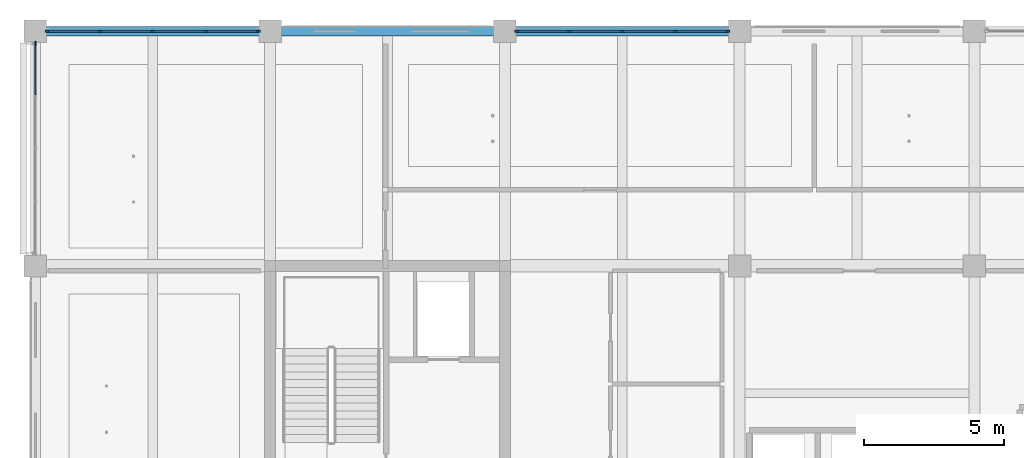
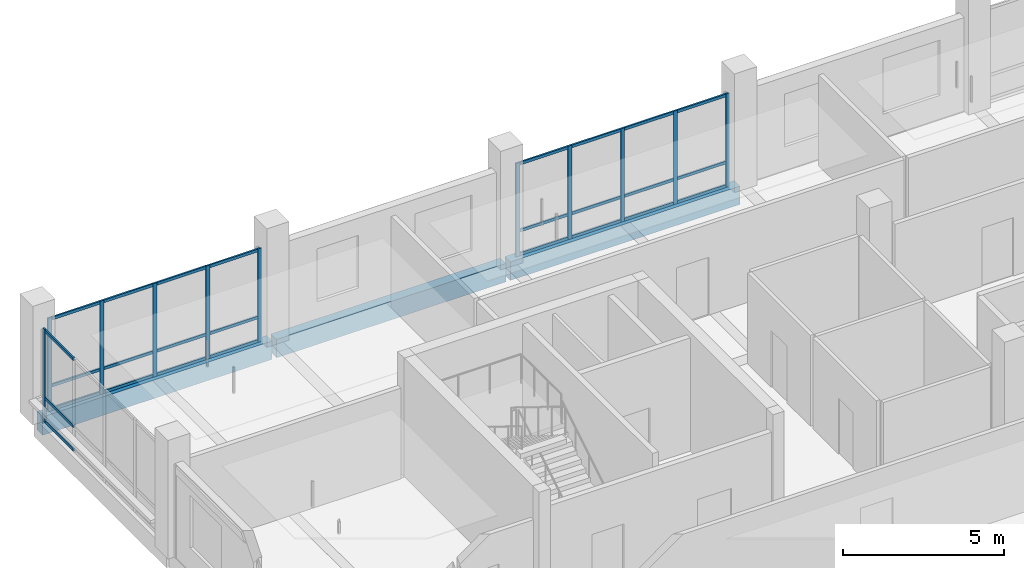
# One storey, part 8 of 34: 38 members, 3 beams, 3 elements without a shape of their own.
"""IFC4 building model written with IfcOpenShell, lengths in metres."""

from ifc_helpers import new_model, si_unit, direction, frame, origin, origin_2d, place, context, subcontext, project, spatial, rectangle, extrude, material, layer, layer_set, material_profile, profile_set, type_object, element, aggregate, save


model = new_model("IFC4")

# Units and contexts
model_context = context("Model", 3, precision=1e-05, world=origin(), true_north=direction((0.0, 1.0)))
body_context = subcontext(model_context, "Body", "Model", "MODEL_VIEW")
ifc_project = project(units=[si_unit("LENGTHUNIT", "METRE"), si_unit("AREAUNIT", "SQUARE_METRE"), si_unit("VOLUMEUNIT", "CUBIC_METRE"), si_unit("PLANEANGLEUNIT", "RADIAN"), si_unit("MASSUNIT", "GRAM", prefix="KILO")], contexts=[model_context])

# Site, building, storey
site_placement = place(None, origin())
site = spatial("IfcSite", under=ifc_project, at=site_placement, CompositionType="ELEMENT")
building_placement = place(site_placement, origin())
building = spatial("IfcBuilding", under=site, at=building_placement, Name="Telukmera Botanical Conservatory", CompositionType="ELEMENT")
storey_placement = place(building_placement, frame((0.0, 0.0, 37.5)))
storey = spatial("IfcBuildingStorey", under=building, at=storey_placement, Name="L08", CompositionType="ELEMENT", Elevation=37.5)

# Beams
ifc_material_1 = material(Name="Precast concrete C40/50", Category="concrete")
ifc_material_profile_1 = material_profile(ifc_material_1, rectangle(XDim=0.35009765625, YDim=0.699951171875, at=origin_2d()), Name="PC 350x700")
ifc_profile_set_1 = profile_set([ifc_material_profile_1], Name="Precast concrete C40/50")
beam_type = type_object("IfcBeamType", Name="Beam_SP2", PredefinedType="SPANDREL", material=ifc_profile_set_1)
beam_1_placement = place(storey_placement, frame((50.47998046875, 42.800048828125, -0.35009765625), z_axis=(1.0, 0.0, 0.0), x_axis=(0.0, 1.0, 0.0)))
element("IfcBeam", 1, at=beam_1_placement, inside=storey, type_object=beam_type, Name="Tower Grid Beam L08", PredefinedType="SPANDREL", context=body_context, shape_type="SweptSolid", body=[
    extrude(rectangle(XDim=0.35009765625, YDim=0.699951171875, at=origin_2d()), origin(), (0.0, 0.0, 1.0), 8.239990234375),
])
beam_2_placement = place(storey_placement, frame((58.8798828125, 42.800048828125, -0.35009765625), z_axis=(1.0, 0.0, 0.0), x_axis=(0.0, 1.0, 0.0)))
element("IfcBeam", 2, at=beam_2_placement, inside=storey, type_object=beam_type, Name="Tower Grid Beam L08", PredefinedType="SPANDREL", context=body_context, shape_type="SweptSolid", body=[
    extrude(rectangle(XDim=0.35009765625, YDim=0.699951171875, at=origin_2d()), origin(), (0.0, 0.0, 1.0), 8.240234375),
])
beam_3_placement = place(storey_placement, frame((67.280029296875, 42.800048828125, -0.35009765625), z_axis=(1.0, 0.0, 0.0), x_axis=(0.0, 1.0, 0.0)))
element("IfcBeam", 3, at=beam_3_placement, inside=storey, type_object=beam_type, Name="Tower Grid Beam L08", PredefinedType="SPANDREL", context=body_context, shape_type="SweptSolid", body=[
    extrude(rectangle(XDim=0.35009765625, YDim=0.699951171875, at=origin_2d()), origin(), (0.0, 0.0, 1.0), 8.239990234375),
])

# Curtain wall, members
ifc_material_2 = material(Name="Anodised aluminium 6063-T6", Category="aluminium")
ifc_layer = layer(ifc_material_2, 0.179931640625)
ifc_layer_set = layer_set([ifc_layer], Name="Anodised aluminium 6063-T6")
curtain_wall_type = type_object("IfcCurtainWallType", Name="Tower Research Laboratory Unitised Curtain Wall", PredefinedType="USERDEFINED", material=ifc_layer_set)
curtain_wall_1_placement = place(storey_placement, origin())
curtain_wall_1 = element("IfcCurtainWall", 4, at=curtain_wall_1_placement, inside=storey, type_object=curtain_wall_type, Name="Unitised Curtain Wall CW15 V4:L08:N1", ObjectType="UNITISED CURTAIN WALL", PredefinedType="USERDEFINED")
ifc_material_profile_2 = material_profile(ifc_material_2, rectangle(XDim=0.06005859375, YDim=0.139892578125, at=origin_2d()), Name="ALU MULL 60x140")
ifc_profile_set_2 = profile_set([ifc_material_profile_2], Name="Anodised aluminium 6063-T6")
member_type_1 = type_object("IfcMemberType", Name="Curtain Wall Extruded Mullion 60x140", PredefinedType="MULLION", material=ifc_profile_set_2)
member_1_placement = place(storey_placement, frame((50.83203125, 42.800048828125, 0.0), z_axis=(0.0, 0.0, 1.0), x_axis=(0.0, 1.0, 0.0)))
member_1 = element("IfcMember", 5, at=member_1_placement, type_object=member_type_1, Name="CW15 mullion 1", PredefinedType="MULLION", context=body_context, shape_type="SweptSolid", body=[
    extrude(rectangle(XDim=0.06005859375, YDim=0.139892578125, at=origin_2d()), origin(), (0.0, 0.0, 1.0), 3.550048828125),
])
member_2_placement = place(storey_placement, frame((52.700927734375, 42.800048828125, 0.0), z_axis=(0.0, 0.0, 1.0), x_axis=(0.0, 1.0, 0.0)))
member_2 = element("IfcMember", 6, at=member_2_placement, type_object=member_type_1, Name="CW15 mullion 2", PredefinedType="MULLION", context=body_context, shape_type="SweptSolid", body=[
    extrude(rectangle(XDim=0.06005859375, YDim=0.139892578125, at=origin_2d()), origin(), (0.0, 0.0, 1.0), 3.550048828125),
])
member_3_placement = place(storey_placement, frame((54.60009765625, 42.800048828125, 0.0), z_axis=(0.0, 0.0, 1.0), x_axis=(0.0, 1.0, 0.0)))
member_3 = element("IfcMember", 7, at=member_3_placement, type_object=member_type_1, Name="CW15 mullion 3", PredefinedType="MULLION", context=body_context, shape_type="SweptSolid", body=[
    extrude(rectangle(XDim=0.06005859375, YDim=0.139892578125, at=origin_2d()), origin(), (0.0, 0.0, 1.0), 3.550048828125),
])
member_4_placement = place(storey_placement, frame((56.4990234375, 42.800048828125, 0.0), z_axis=(0.0, 0.0, 1.0), x_axis=(0.0, 1.0, 0.0)))
member_4 = element("IfcMember", 8, at=member_4_placement, type_object=member_type_1, Name="CW15 mullion 4", PredefinedType="MULLION", context=body_context, shape_type="SweptSolid", body=[
    extrude(rectangle(XDim=0.06005859375, YDim=0.139892578125, at=origin_2d()), origin(), (0.0, 0.0, 1.0), 3.550048828125),
])
member_5_placement = place(storey_placement, frame((58.367919921875, 42.800048828125, 0.0), z_axis=(0.0, 0.0, 1.0), x_axis=(0.0, 1.0, 0.0)))
member_5 = element("IfcMember", 9, at=member_5_placement, type_object=member_type_1, Name="CW15 mullion 5", PredefinedType="MULLION", context=body_context, shape_type="SweptSolid", body=[
    extrude(rectangle(XDim=0.06005859375, YDim=0.139892578125, at=origin_2d()), origin(), (0.0, 0.0, 1.0), 3.550048828125),
])

curtain_wall_2_placement = place(storey_placement, origin())
curtain_wall_2 = element("IfcCurtainWall", 10, at=curtain_wall_2_placement, inside=storey, type_object=curtain_wall_type, Name="Unitised Curtain Wall CW15 V4:L08:N3", ObjectType="UNITISED CURTAIN WALL", PredefinedType="USERDEFINED")
member_6_placement = place(storey_placement, frame((67.632080078125, 42.800048828125, 0.0), z_axis=(0.0, 0.0, 1.0), x_axis=(0.0, 1.0, 0.0)))
member_6 = element("IfcMember", 11, at=member_6_placement, type_object=member_type_1, Name="CW15 mullion 1", PredefinedType="MULLION", context=body_context, shape_type="SweptSolid", body=[
    extrude(rectangle(XDim=0.06005859375, YDim=0.139892578125, at=origin_2d()), origin(), (0.0, 0.0, 1.0), 3.550048828125),
])
member_7_placement = place(storey_placement, frame((69.5009765625, 42.800048828125, 0.0), z_axis=(0.0, 0.0, 1.0), x_axis=(0.0, 1.0, 0.0)))
member_7 = element("IfcMember", 12, at=member_7_placement, type_object=member_type_1, Name="CW15 mullion 2", PredefinedType="MULLION", context=body_context, shape_type="SweptSolid", body=[
    extrude(rectangle(XDim=0.06005859375, YDim=0.139892578125, at=origin_2d()), origin(), (0.0, 0.0, 1.0), 3.550048828125),
])
member_8_placement = place(storey_placement, frame((71.39990234375, 42.800048828125, 0.0), z_axis=(0.0, 0.0, 1.0), x_axis=(0.0, 1.0, 0.0)))
member_8 = element("IfcMember", 13, at=member_8_placement, type_object=member_type_1, Name="CW15 mullion 3", PredefinedType="MULLION", context=body_context, shape_type="SweptSolid", body=[
    extrude(rectangle(XDim=0.06005859375, YDim=0.139892578125, at=origin_2d()), origin(), (0.0, 0.0, 1.0), 3.550048828125),
])
member_9_placement = place(storey_placement, frame((73.299072265625, 42.800048828125, 0.0), z_axis=(0.0, 0.0, 1.0), x_axis=(0.0, 1.0, 0.0)))
member_9 = element("IfcMember", 14, at=member_9_placement, type_object=member_type_1, Name="CW15 mullion 4", PredefinedType="MULLION", context=body_context, shape_type="SweptSolid", body=[
    extrude(rectangle(XDim=0.06005859375, YDim=0.139892578125, at=origin_2d()), origin(), (0.0, 0.0, 1.0), 3.550048828125),
])
member_10_placement = place(storey_placement, frame((75.16796875, 42.800048828125, 0.0), z_axis=(0.0, 0.0, 1.0), x_axis=(0.0, 1.0, 0.0)))
member_10 = element("IfcMember", 15, at=member_10_placement, type_object=member_type_1, Name="CW15 mullion 5", PredefinedType="MULLION", context=body_context, shape_type="SweptSolid", body=[
    extrude(rectangle(XDim=0.06005859375, YDim=0.139892578125, at=origin_2d()), origin(), (0.0, 0.0, 1.0), 3.550048828125),
])

# Curtain wall, member
curtain_wall_3_placement = place(storey_placement, origin())
curtain_wall_3 = element("IfcCurtainWall", 16, at=curtain_wall_3_placement, inside=storey, type_object=curtain_wall_type, Name="Unitised Curtain Wall CW15 V4:L08:W4", ObjectType="UNITISED CURTAIN WALL", PredefinedType="USERDEFINED")
member_11_placement = place(storey_placement, frame((50.39990234375, 42.367919921875, 0.0), z_axis=(0.0, 0.0, 1.0), x_axis=(-1.0, 0.0, 0.0)))
member_11 = element("IfcMember", 17, at=member_11_placement, type_object=member_type_1, Name="CW15 mullion 5", PredefinedType="MULLION", context=body_context, shape_type="SweptSolid", body=[
    extrude(rectangle(XDim=0.06005859375, YDim=0.139892578125, at=origin_2d()), origin(), (0.0, 0.0, 1.0), 3.550048828125),
])

# Member
ifc_material_profile_3 = material_profile(ifc_material_2, rectangle(XDim=0.06005859375, YDim=0.110107421875, at=origin_2d()), Name="ALU TRAN 60x110")
ifc_profile_set_3 = profile_set([ifc_material_profile_3], Name="Anodised aluminium 6063-T6")
member_type_2 = type_object("IfcMemberType", Name="Curtain Wall Extruded Transom 60x110", PredefinedType="USERDEFINED", material=ifc_profile_set_3)
member_12_placement = place(storey_placement, frame((50.862060546875, 42.800048828125, 0.054931640625), z_axis=(1.0, 0.0, 0.0), x_axis=(0.0, 1.0, 0.0)))
member_12 = element("IfcMember", 18, at=member_12_placement, type_object=member_type_2, Name="CW15 transom 1.1", ObjectType="TRANSOM", PredefinedType="USERDEFINED", context=body_context, shape_type="SweptSolid", body=[
    extrude(rectangle(XDim=0.06005859375, YDim=0.110107421875, at=origin_2d()), origin(), (0.0, 0.0, 1.0), 1.808837890625),
])

member_13_placement = place(storey_placement, frame((50.862060546875, 42.800048828125, 0.949951171875), z_axis=(1.0, 0.0, 0.0), x_axis=(0.0, 1.0, 0.0)))
member_13 = element("IfcMember", 19, at=member_13_placement, type_object=member_type_2, Name="CW15 transom 1.2", ObjectType="TRANSOM", PredefinedType="USERDEFINED", context=body_context, shape_type="SweptSolid", body=[
    extrude(rectangle(XDim=0.06005859375, YDim=0.110107421875, at=origin_2d()), origin(), (0.0, 0.0, 1.0), 1.808837890625),
])

member_14_placement = place(storey_placement, frame((50.862060546875, 42.800048828125, 3.4951171875), z_axis=(1.0, 0.0, 0.0), x_axis=(0.0, 1.0, 0.0)))
member_14 = element("IfcMember", 20, at=member_14_placement, type_object=member_type_2, Name="CW15 transom 1.3", ObjectType="TRANSOM", PredefinedType="USERDEFINED", context=body_context, shape_type="SweptSolid", body=[
    extrude(rectangle(XDim=0.06005859375, YDim=0.110107421875, at=origin_2d()), origin(), (0.0, 0.0, 1.0), 1.808837890625),
])

member_15_placement = place(storey_placement, frame((52.73095703125, 42.800048828125, 0.054931640625), z_axis=(1.0, 0.0, 0.0), x_axis=(0.0, 1.0, 0.0)))
member_15 = element("IfcMember", 21, at=member_15_placement, type_object=member_type_2, Name="CW15 transom 2.1", ObjectType="TRANSOM", PredefinedType="USERDEFINED", context=body_context, shape_type="SweptSolid", body=[
    extrude(rectangle(XDim=0.06005859375, YDim=0.110107421875, at=origin_2d()), origin(), (0.0, 0.0, 1.0), 1.839111328125),
])

member_16_placement = place(storey_placement, frame((52.73095703125, 42.800048828125, 0.949951171875), z_axis=(1.0, 0.0, 0.0), x_axis=(0.0, 1.0, 0.0)))
member_16 = element("IfcMember", 22, at=member_16_placement, type_object=member_type_2, Name="CW15 transom 2.2", ObjectType="TRANSOM", PredefinedType="USERDEFINED", context=body_context, shape_type="SweptSolid", body=[
    extrude(rectangle(XDim=0.06005859375, YDim=0.110107421875, at=origin_2d()), origin(), (0.0, 0.0, 1.0), 1.839111328125),
])

member_17_placement = place(storey_placement, frame((52.73095703125, 42.800048828125, 3.4951171875), z_axis=(1.0, 0.0, 0.0), x_axis=(0.0, 1.0, 0.0)))
member_17 = element("IfcMember", 23, at=member_17_placement, type_object=member_type_2, Name="CW15 transom 2.3", ObjectType="TRANSOM", PredefinedType="USERDEFINED", context=body_context, shape_type="SweptSolid", body=[
    extrude(rectangle(XDim=0.06005859375, YDim=0.110107421875, at=origin_2d()), origin(), (0.0, 0.0, 1.0), 1.839111328125),
])

member_18_placement = place(storey_placement, frame((54.6298828125, 42.800048828125, 0.054931640625), z_axis=(1.0, 0.0, 0.0), x_axis=(0.0, 1.0, 0.0)))
member_18 = element("IfcMember", 24, at=member_18_placement, type_object=member_type_2, Name="CW15 transom 3.1", ObjectType="TRANSOM", PredefinedType="USERDEFINED", context=body_context, shape_type="SweptSolid", body=[
    extrude(rectangle(XDim=0.06005859375, YDim=0.110107421875, at=origin_2d()), origin(), (0.0, 0.0, 1.0), 1.839111328125),
])

member_19_placement = place(storey_placement, frame((54.6298828125, 42.800048828125, 0.949951171875), z_axis=(1.0, 0.0, 0.0), x_axis=(0.0, 1.0, 0.0)))
member_19 = element("IfcMember", 25, at=member_19_placement, type_object=member_type_2, Name="CW15 transom 3.2", ObjectType="TRANSOM", PredefinedType="USERDEFINED", context=body_context, shape_type="SweptSolid", body=[
    extrude(rectangle(XDim=0.06005859375, YDim=0.110107421875, at=origin_2d()), origin(), (0.0, 0.0, 1.0), 1.839111328125),
])

member_20_placement = place(storey_placement, frame((54.6298828125, 42.800048828125, 3.4951171875), z_axis=(1.0, 0.0, 0.0), x_axis=(0.0, 1.0, 0.0)))
member_20 = element("IfcMember", 26, at=member_20_placement, type_object=member_type_2, Name="CW15 transom 3.3", ObjectType="TRANSOM", PredefinedType="USERDEFINED", context=body_context, shape_type="SweptSolid", body=[
    extrude(rectangle(XDim=0.06005859375, YDim=0.110107421875, at=origin_2d()), origin(), (0.0, 0.0, 1.0), 1.839111328125),
])

member_21_placement = place(storey_placement, frame((56.529052734375, 42.800048828125, 0.054931640625), z_axis=(1.0, 0.0, 0.0), x_axis=(0.0, 1.0, 0.0)))
member_21 = element("IfcMember", 27, at=member_21_placement, type_object=member_type_2, Name="CW15 transom 4.1", ObjectType="TRANSOM", PredefinedType="USERDEFINED", context=body_context, shape_type="SweptSolid", body=[
    extrude(rectangle(XDim=0.06005859375, YDim=0.110107421875, at=origin_2d()), origin(), (0.0, 0.0, 1.0), 1.808837890625),
])

member_22_placement = place(storey_placement, frame((56.529052734375, 42.800048828125, 0.949951171875), z_axis=(1.0, 0.0, 0.0), x_axis=(0.0, 1.0, 0.0)))
member_22 = element("IfcMember", 28, at=member_22_placement, type_object=member_type_2, Name="CW15 transom 4.2", ObjectType="TRANSOM", PredefinedType="USERDEFINED", context=body_context, shape_type="SweptSolid", body=[
    extrude(rectangle(XDim=0.06005859375, YDim=0.110107421875, at=origin_2d()), origin(), (0.0, 0.0, 1.0), 1.808837890625),
])

member_23_placement = place(storey_placement, frame((56.529052734375, 42.800048828125, 3.4951171875), z_axis=(1.0, 0.0, 0.0), x_axis=(0.0, 1.0, 0.0)))
member_23 = element("IfcMember", 29, at=member_23_placement, type_object=member_type_2, Name="CW15 transom 4.3", ObjectType="TRANSOM", PredefinedType="USERDEFINED", context=body_context, shape_type="SweptSolid", body=[
    extrude(rectangle(XDim=0.06005859375, YDim=0.110107421875, at=origin_2d()), origin(), (0.0, 0.0, 1.0), 1.808837890625),
])

aggregate(curtain_wall_1, [member_1, member_2, member_3, member_4, member_5, member_12, member_13, member_14, member_15, member_16, member_17, member_18, member_19, member_20, member_21, member_22, member_23])

member_24_placement = place(storey_placement, frame((67.662109375, 42.800048828125, 0.054931640625), z_axis=(1.0, 0.0, 0.0), x_axis=(0.0, 1.0, 0.0)))
member_24 = element("IfcMember", 30, at=member_24_placement, type_object=member_type_2, Name="CW15 transom 1.1", ObjectType="TRANSOM", PredefinedType="USERDEFINED", context=body_context, shape_type="SweptSolid", body=[
    extrude(rectangle(XDim=0.06005859375, YDim=0.110107421875, at=origin_2d()), origin(), (0.0, 0.0, 1.0), 1.808837890625),
])

member_25_placement = place(storey_placement, frame((67.662109375, 42.800048828125, 0.949951171875), z_axis=(1.0, 0.0, 0.0), x_axis=(0.0, 1.0, 0.0)))
member_25 = element("IfcMember", 31, at=member_25_placement, type_object=member_type_2, Name="CW15 transom 1.2", ObjectType="TRANSOM", PredefinedType="USERDEFINED", context=body_context, shape_type="SweptSolid", body=[
    extrude(rectangle(XDim=0.06005859375, YDim=0.110107421875, at=origin_2d()), origin(), (0.0, 0.0, 1.0), 1.808837890625),
])

member_26_placement = place(storey_placement, frame((67.662109375, 42.800048828125, 3.4951171875), z_axis=(1.0, 0.0, 0.0), x_axis=(0.0, 1.0, 0.0)))
member_26 = element("IfcMember", 32, at=member_26_placement, type_object=member_type_2, Name="CW15 transom 1.3", ObjectType="TRANSOM", PredefinedType="USERDEFINED", context=body_context, shape_type="SweptSolid", body=[
    extrude(rectangle(XDim=0.06005859375, YDim=0.110107421875, at=origin_2d()), origin(), (0.0, 0.0, 1.0), 1.808837890625),
])

member_27_placement = place(storey_placement, frame((69.531005859375, 42.800048828125, 0.054931640625), z_axis=(1.0, 0.0, 0.0), x_axis=(0.0, 1.0, 0.0)))
member_27 = element("IfcMember", 33, at=member_27_placement, type_object=member_type_2, Name="CW15 transom 2.1", ObjectType="TRANSOM", PredefinedType="USERDEFINED", context=body_context, shape_type="SweptSolid", body=[
    extrude(rectangle(XDim=0.06005859375, YDim=0.110107421875, at=origin_2d()), origin(), (0.0, 0.0, 1.0), 1.839111328125),
])

member_28_placement = place(storey_placement, frame((69.531005859375, 42.800048828125, 0.949951171875), z_axis=(1.0, 0.0, 0.0), x_axis=(0.0, 1.0, 0.0)))
member_28 = element("IfcMember", 34, at=member_28_placement, type_object=member_type_2, Name="CW15 transom 2.2", ObjectType="TRANSOM", PredefinedType="USERDEFINED", context=body_context, shape_type="SweptSolid", body=[
    extrude(rectangle(XDim=0.06005859375, YDim=0.110107421875, at=origin_2d()), origin(), (0.0, 0.0, 1.0), 1.839111328125),
])

member_29_placement = place(storey_placement, frame((69.531005859375, 42.800048828125, 3.4951171875), z_axis=(1.0, 0.0, 0.0), x_axis=(0.0, 1.0, 0.0)))
member_29 = element("IfcMember", 35, at=member_29_placement, type_object=member_type_2, Name="CW15 transom 2.3", ObjectType="TRANSOM", PredefinedType="USERDEFINED", context=body_context, shape_type="SweptSolid", body=[
    extrude(rectangle(XDim=0.06005859375, YDim=0.110107421875, at=origin_2d()), origin(), (0.0, 0.0, 1.0), 1.839111328125),
])

member_30_placement = place(storey_placement, frame((71.429931640625, 42.800048828125, 0.054931640625), z_axis=(1.0, 0.0, 0.0), x_axis=(0.0, 1.0, 0.0)))
member_30 = element("IfcMember", 36, at=member_30_placement, type_object=member_type_2, Name="CW15 transom 3.1", ObjectType="TRANSOM", PredefinedType="USERDEFINED", context=body_context, shape_type="SweptSolid", body=[
    extrude(rectangle(XDim=0.06005859375, YDim=0.110107421875, at=origin_2d()), origin(), (0.0, 0.0, 1.0), 1.839111328125),
])

member_31_placement = place(storey_placement, frame((71.429931640625, 42.800048828125, 0.949951171875), z_axis=(1.0, 0.0, 0.0), x_axis=(0.0, 1.0, 0.0)))
member_31 = element("IfcMember", 37, at=member_31_placement, type_object=member_type_2, Name="CW15 transom 3.2", ObjectType="TRANSOM", PredefinedType="USERDEFINED", context=body_context, shape_type="SweptSolid", body=[
    extrude(rectangle(XDim=0.06005859375, YDim=0.110107421875, at=origin_2d()), origin(), (0.0, 0.0, 1.0), 1.839111328125),
])

member_32_placement = place(storey_placement, frame((71.429931640625, 42.800048828125, 3.4951171875), z_axis=(1.0, 0.0, 0.0), x_axis=(0.0, 1.0, 0.0)))
member_32 = element("IfcMember", 38, at=member_32_placement, type_object=member_type_2, Name="CW15 transom 3.3", ObjectType="TRANSOM", PredefinedType="USERDEFINED", context=body_context, shape_type="SweptSolid", body=[
    extrude(rectangle(XDim=0.06005859375, YDim=0.110107421875, at=origin_2d()), origin(), (0.0, 0.0, 1.0), 1.839111328125),
])

member_33_placement = place(storey_placement, frame((73.3291015625, 42.800048828125, 0.054931640625), z_axis=(1.0, 0.0, 0.0), x_axis=(0.0, 1.0, 0.0)))
member_33 = element("IfcMember", 39, at=member_33_placement, type_object=member_type_2, Name="CW15 transom 4.1", ObjectType="TRANSOM", PredefinedType="USERDEFINED", context=body_context, shape_type="SweptSolid", body=[
    extrude(rectangle(XDim=0.06005859375, YDim=0.110107421875, at=origin_2d()), origin(), (0.0, 0.0, 1.0), 1.808837890625),
])

member_34_placement = place(storey_placement, frame((73.3291015625, 42.800048828125, 0.949951171875), z_axis=(1.0, 0.0, 0.0), x_axis=(0.0, 1.0, 0.0)))
member_34 = element("IfcMember", 40, at=member_34_placement, type_object=member_type_2, Name="CW15 transom 4.2", ObjectType="TRANSOM", PredefinedType="USERDEFINED", context=body_context, shape_type="SweptSolid", body=[
    extrude(rectangle(XDim=0.06005859375, YDim=0.110107421875, at=origin_2d()), origin(), (0.0, 0.0, 1.0), 1.808837890625),
])

member_35_placement = place(storey_placement, frame((73.3291015625, 42.800048828125, 3.4951171875), z_axis=(1.0, 0.0, 0.0), x_axis=(0.0, 1.0, 0.0)))
member_35 = element("IfcMember", 41, at=member_35_placement, type_object=member_type_2, Name="CW15 transom 4.3", ObjectType="TRANSOM", PredefinedType="USERDEFINED", context=body_context, shape_type="SweptSolid", body=[
    extrude(rectangle(XDim=0.06005859375, YDim=0.110107421875, at=origin_2d()), origin(), (0.0, 0.0, 1.0), 1.808837890625),
])

aggregate(curtain_wall_2, [member_6, member_7, member_8, member_9, member_10, member_24, member_25, member_26, member_27, member_28, member_29, member_30, member_31, member_32, member_33, member_34, member_35])

member_36_placement = place(storey_placement, frame((50.39990234375, 40.529052734375, 0.054931640625), z_axis=(0.0, 1.0, 0.0), x_axis=(-1.0, 0.0, 0.0)))
member_36 = element("IfcMember", 42, at=member_36_placement, type_object=member_type_2, Name="CW15 transom 4.1", ObjectType="TRANSOM", PredefinedType="USERDEFINED", context=body_context, shape_type="SweptSolid", body=[
    extrude(rectangle(XDim=0.06005859375, YDim=0.110107421875, at=origin_2d()), origin(), (0.0, 0.0, 1.0), 1.808837890625),
])

member_37_placement = place(storey_placement, frame((50.39990234375, 40.529052734375, 0.949951171875), z_axis=(0.0, 1.0, 0.0), x_axis=(-1.0, 0.0, 0.0)))
member_37 = element("IfcMember", 43, at=member_37_placement, type_object=member_type_2, Name="CW15 transom 4.2", ObjectType="TRANSOM", PredefinedType="USERDEFINED", context=body_context, shape_type="SweptSolid", body=[
    extrude(rectangle(XDim=0.06005859375, YDim=0.110107421875, at=origin_2d()), origin(), (0.0, 0.0, 1.0), 1.808837890625),
])

member_38_placement = place(storey_placement, frame((50.39990234375, 40.529052734375, 3.4951171875), z_axis=(0.0, 1.0, 0.0), x_axis=(-1.0, 0.0, 0.0)))
member_38 = element("IfcMember", 44, at=member_38_placement, type_object=member_type_2, Name="CW15 transom 4.3", ObjectType="TRANSOM", PredefinedType="USERDEFINED", context=body_context, shape_type="SweptSolid", body=[
    extrude(rectangle(XDim=0.06005859375, YDim=0.110107421875, at=origin_2d()), origin(), (0.0, 0.0, 1.0), 1.808837890625),
])

aggregate(curtain_wall_3, [member_11, member_36, member_37, member_38])

save(model, "model.ifc")
